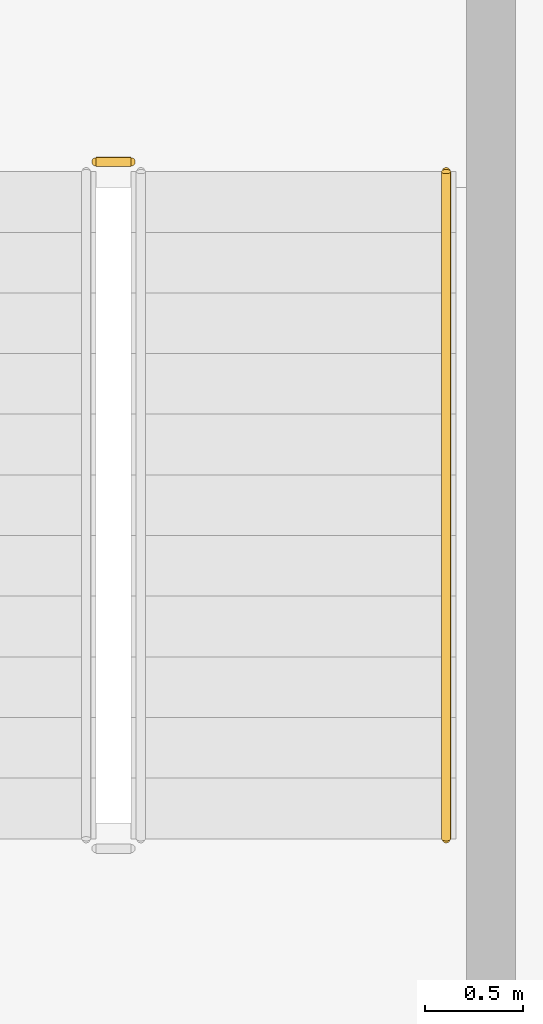
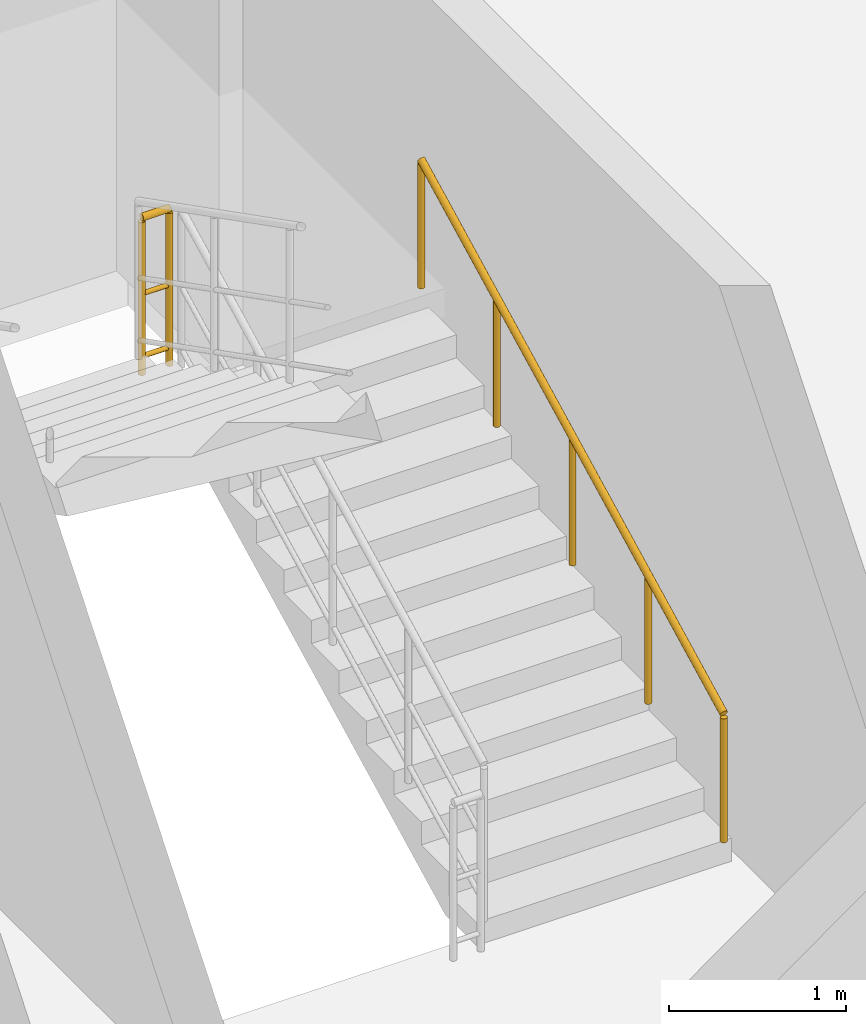
# One storey, part 5 of 5: 2 railings.
"""IFC4 building model written with IfcOpenShell, lengths in metres."""

import ifcopenshell
import ifcopenshell.guid

model = None  # the IFC model being written
_history = None  # IfcOwnerHistory: only IFC2X3 demands one
_inside = {}  # id of a spatial element -> (the spatial element, [elements in it])
_under = {}  # id of a project, library or spatial element -> (it, [spatial elements below it])
_declared = {}  # id of a project -> (the project, [libraries it declares])
_typed = {}  # id of a type object -> (the type object, [elements of that type])
_made_of = {}  # id of a material, layer set ... -> (it, [elements and type objects made of it])


def new_model(schema):
    """Start an empty IFC model of exactly this schema.

    Asked for "IFC4X3", IfcOpenShell would pick the latest addendum, in which some entities
    have other attributes; the version numbers below select the first issue.
    IFC2X3 requires an IfcOwnerHistory on every rooted entity: one is made here for all.
    """
    global model, _history
    if schema == "IFC4X3":
        model = ifcopenshell.file(schema_version=(4, 3, 0, 0))
    else:
        model = ifcopenshell.file(schema=schema)
    _inside.clear()
    _under.clear()
    _declared.clear()
    _typed.clear()
    _made_of.clear()
    _history = None
    if model.schema == "IFC2X3":
        org = make("IfcOrganization", Name="unknown")
        user = make(
            "IfcPersonAndOrganization",
            ThePerson=make("IfcPerson", FamilyName="unknown"),
            TheOrganization=org,
        )
        app = make(
            "IfcApplication",
            ApplicationDeveloper=org,
            Version="unknown",
            ApplicationFullName="unknown",
            ApplicationIdentifier="unknown",
        )
        _history = make(
            "IfcOwnerHistory",
            OwningUser=user,
            OwningApplication=app,
            ChangeAction="ADDED",
            CreationDate=0,
        )
    return model


def make(cls, **values):
    """One entity of the class cls with the attributes given. An attribute that is None is left unset."""
    return model.create_entity(
        cls, **{name: value for name, value in values.items() if value is not None}
    )


def rooted(cls, **values):
    """An entity with a GlobalId (a new one), such as an element, a storey or a relation."""
    return make(cls, GlobalId=ifcopenshell.guid.new(), OwnerHistory=_history, **values)


def si_unit(unit_type, name, prefix=None):
    """IfcSIUnit, for example si_unit("LENGTHUNIT", "METRE", prefix="MILLI")."""
    return make("IfcSIUnit", UnitType=unit_type, Prefix=prefix, Name=name)


def assignment(units):
    """IfcUnitAssignment: the units of a project."""
    return None if units is None else make("IfcUnitAssignment", Units=units)


def point(xyz):
    """IfcCartesianPoint."""
    return None if xyz is None else make("IfcCartesianPoint", Coordinates=xyz)


def direction(xyz):
    """IfcDirection."""
    return None if xyz is None else make("IfcDirection", DirectionRatios=xyz)


def frame(location, z_axis=None, x_axis=None):
    """IfcAxis2Placement3D, a coordinate frame: its origin and axes. An axis left out is left unset."""
    return make(
        "IfcAxis2Placement3D",
        Location=point(location),
        Axis=direction(z_axis),
        RefDirection=direction(x_axis),
    )


def frame_2d(location, x_axis=None):
    """IfcAxis2Placement2D, a coordinate frame in the plane: its origin and x axis."""
    return make(
        "IfcAxis2Placement2D", Location=point(location), RefDirection=direction(x_axis)
    )


def origin():
    """The frame at (0, 0, 0) with its axes left unset."""
    return frame((0.0, 0.0, 0.0))


def origin_2d():
    """The frame at (0, 0) in the plane with its x axis left unset."""
    return frame_2d((0.0, 0.0))


def place(relative_to, where):
    """IfcLocalPlacement: puts the frame where relative to a parent placement (None: the world)."""
    return make(
        "IfcLocalPlacement", PlacementRelTo=relative_to, RelativePlacement=where
    )


def context(
    kind, dimensions, precision=None, world=None, true_north=None, identifier=None
):
    """IfcGeometricRepresentationContext, for example the 3D "Model" context."""
    return make(
        "IfcGeometricRepresentationContext",
        ContextIdentifier=identifier,
        ContextType=kind,
        CoordinateSpaceDimension=dimensions,
        Precision=precision,
        WorldCoordinateSystem=world,
        TrueNorth=true_north,
    )


def subcontext(parent, identifier, kind, view, scale=None):
    """IfcGeometricRepresentationSubContext, for example "Body" below "Model"."""
    return make(
        "IfcGeometricRepresentationSubContext",
        ContextIdentifier=identifier,
        ContextType=kind,
        ParentContext=parent,
        TargetScale=scale,
        TargetView=view,
    )


def project(units=None, contexts=None):
    """IfcProject with its units and contexts."""
    return rooted(
        "IfcProject",
        Name="project",
        RepresentationContexts=contexts,
        UnitsInContext=assignment(units),
    )


def spatial(cls, under=None, at=None, **own):
    """A site, building, storey or space (cls), placed at a placement, below another one or the project."""
    s = rooted(cls, ObjectPlacement=at, **own)
    if under is not None:
        _under.setdefault(under.id(), (under, []))[1].append(s)
    return s


def profile(cls, at=None, kind="AREA", **sizes):
    """A parametric profile (cls). Its sizes go by their IFC names, for example OverallWidth=200.0."""
    return make(cls, ProfileType=kind, Position=at, **sizes)


def circle(**sizes):
    """IfcCircleProfileDef."""
    return profile("IfcCircleProfileDef", **sizes)


def extrude(swept, where, along, depth):
    """IfcExtrudedAreaSolid: the profile swept, set in the frame where, extruded along a direction by depth."""
    return make(
        "IfcExtrudedAreaSolid",
        SweptArea=swept,
        Position=where,
        ExtrudedDirection=direction(along),
        Depth=depth,
    )


def shape(context_of_items, identifier, shape_type, items):
    """IfcShapeRepresentation: the items that make up one representation, for example the "Body"."""
    return make(
        "IfcShapeRepresentation",
        ContextOfItems=context_of_items,
        RepresentationIdentifier=identifier,
        RepresentationType=shape_type,
        Items=items,
    )


def material(Name=None, Category=None):
    """IfcMaterial."""
    return make("IfcMaterial", Name=Name, Category=Category)


def made_of(thing, what):
    """Note that an element or type object is made of a material, layer set ...; save() writes the relation."""
    if what is not None:
        _made_of.setdefault(what.id(), (what, []))[1].append(thing)
    return thing


def type_object(cls, material=None, **own):
    """A type object (cls), such as IfcWallType, which elements share."""
    return made_of(rooted(cls, **own), material)


def element(
    cls,
    number,
    at=None,
    inside=None,
    cuts=None,
    type_object=None,
    material=None,
    context=None,
    identifier="Body",
    shape_type=None,
    held_by="IfcProductDefinitionShape",
    body=None,
    shapes=None,
    **own,
):
    """One element of the class cls, such as IfcWall. Its Tag is "e" and its number.

    at: its placement. inside: the storey or other place that contains it. cuts: it is an
    opening in that element (IfcRelVoidsElement). A single representation is given by context,
    identifier, shape_type and body (its items); several are given by shapes. held_by: the class
    of the entity that holds the representations. save() writes the other relations.
    """
    e = rooted(cls, Tag="e%d" % number, ObjectPlacement=at, **own)
    if body is not None:
        shapes = [shape(context, identifier, shape_type, body)]
    if shapes is not None:
        e.Representation = make(held_by, Representations=shapes)
    if inside is not None:
        _inside.setdefault(inside.id(), (inside, []))[1].append(e)
    if cuts is not None:
        rooted(
            "IfcRelVoidsElement", RelatingBuildingElement=cuts, RelatedOpeningElement=e
        )
    if type_object is not None:
        _typed.setdefault(type_object.id(), (type_object, []))[1].append(e)
    return made_of(e, material)


def aggregate(whole, parts):
    """IfcRelAggregates: a whole, such as a stair, and the parts it consists of."""
    return rooted("IfcRelAggregates", RelatingObject=whole, RelatedObjects=parts)


def save(model, path):
    """Write the relations noted so far, then the file.

    IfcRelAggregates (storeys below a building ...), IfcRelContainedInSpatialStructure (elements
    in a storey), IfcRelDefinesByType, IfcRelAssociatesMaterial and IfcRelDeclares: one each for
    every whole, place, type object, material and project.
    """
    for whole, parts in _under.values():
        aggregate(whole, parts)
    for where, things in _inside.values():
        rooted(
            "IfcRelContainedInSpatialStructure",
            RelatedElements=things,
            RelatingStructure=where,
        )
    for kind, things in _typed.values():
        rooted("IfcRelDefinesByType", RelatedObjects=things, RelatingType=kind)
    for what, things in _made_of.values():
        rooted("IfcRelAssociatesMaterial", RelatedObjects=things, RelatingMaterial=what)
    for by, libraries in _declared.values():
        rooted("IfcRelDeclares", RelatingContext=by, RelatedDefinitions=libraries)
    model.write(path)


model = new_model("IFC4")

# Units and contexts
model_context = context("Model", 3, precision=1e-05, world=origin(), true_north=direction((0.0, 1.0)))
body_context = subcontext(model_context, "Body", "Model", "MODEL_VIEW")
ifc_project = project(units=[si_unit("LENGTHUNIT", "METRE"), si_unit("AREAUNIT", "SQUARE_METRE"), si_unit("VOLUMEUNIT", "CUBIC_METRE"), si_unit("PLANEANGLEUNIT", "RADIAN"), si_unit("MASSUNIT", "GRAM", prefix="KILO")], contexts=[model_context])

# Site, building, storey
site_placement = place(None, origin())
site = spatial("IfcSite", under=ifc_project, at=site_placement, CompositionType="ELEMENT")
building_placement = place(site_placement, origin())
building = spatial("IfcBuilding", under=site, at=building_placement, Name="Catumbela Crestline Tower", CompositionType="ELEMENT")
storey_placement = place(building_placement, frame((0.0, 0.0, -9.4)))
storey = spatial("IfcBuildingStorey", under=building, at=storey_placement, Name="B02", CompositionType="ELEMENT", Elevation=-9.4)

# Railings
ifc_material = material(Name="Stainless steel EN 1.4401", Category="steel")
railing_type_1 = type_object("IfcRailingType", Name="RG-1100", PredefinedType="GUARDRAIL", material=ifc_material)
railing_1_placement = place(storey_placement, frame((43.04, 36.46, 1.9)))
element("IfcRailing", 1, at=railing_1_placement, inside=storey, type_object=railing_type_1, Name="B02 ST-04 stair guard 2", PredefinedType="GUARDRAIL", context=body_context, shape_type="SweptSolid", body=[
    extrude(circle(Radius=0.024, at=origin_2d()), frame((0.0, 0.0, 1.076), z_axis=(-1.0, 0.0, 0.0), x_axis=(0.0, -1.0, 0.0)), (0.0, 0.0, 1.0), 0.18),
    extrude(circle(Radius=0.0156, at=origin_2d()), frame((0.0, 0.0, 0.55), z_axis=(-1.0, 0.0, 0.0), x_axis=(0.0, -1.0, 0.0)), (0.0, 0.0, 1.0), 0.18),
    extrude(circle(Radius=0.0156, at=origin_2d()), frame((0.0, 0.0, 0.12), z_axis=(-1.0, 0.0, 0.0), x_axis=(0.0, -1.0, 0.0)), (0.0, 0.0, 1.0), 0.18),
    extrude(circle(Radius=0.021, at=origin_2d()), origin(), (0.0, 0.0, 1.0), 1.052),
    extrude(circle(Radius=0.021, at=origin_2d()), frame((-0.18, 0.0, 0.0)), (0.0, 0.0, 1.0), 1.052),
])
railing_type_2 = type_object("IfcRailingType", Name="RH-0900", PredefinedType="HANDRAIL", material=ifc_material)
railing_2_placement = place(storey_placement, frame((44.65, 33.0, 0.1583)))
element("IfcRailing", 2, at=railing_2_placement, inside=storey, type_object=railing_type_2, Name="B02 ST-04 stair handrail 1", PredefinedType="HANDRAIL", context=body_context, shape_type="SweptSolid", body=[
    extrude(circle(Radius=0.024, at=origin_2d()), frame((0.0, 0.0, 0.876), z_axis=(0.0, 0.890560473983, 0.454864861447), x_axis=(-1.0, 0.0, 0.0)), (0.0, 0.0, 1.0), 3.829),
    extrude(circle(Radius=0.021, at=origin_2d()), origin(), (0.0, 0.0, 1.0), 0.852),
    extrude(circle(Radius=0.021, at=origin_2d()), frame((0.0, 0.8525, 0.4354)), (0.0, 0.0, 1.0), 0.852),
    extrude(circle(Radius=0.021, at=origin_2d()), frame((0.0, 1.705, 0.8708)), (0.0, 0.0, 1.0), 0.852),
    extrude(circle(Radius=0.021, at=origin_2d()), frame((0.0, 2.5575, 1.3063)), (0.0, 0.0, 1.0), 0.852),
    extrude(circle(Radius=0.021, at=origin_2d()), frame((0.0, 3.41, 1.7417)), (0.0, 0.0, 1.0), 0.852),
])

save(model, "model.ifc")
